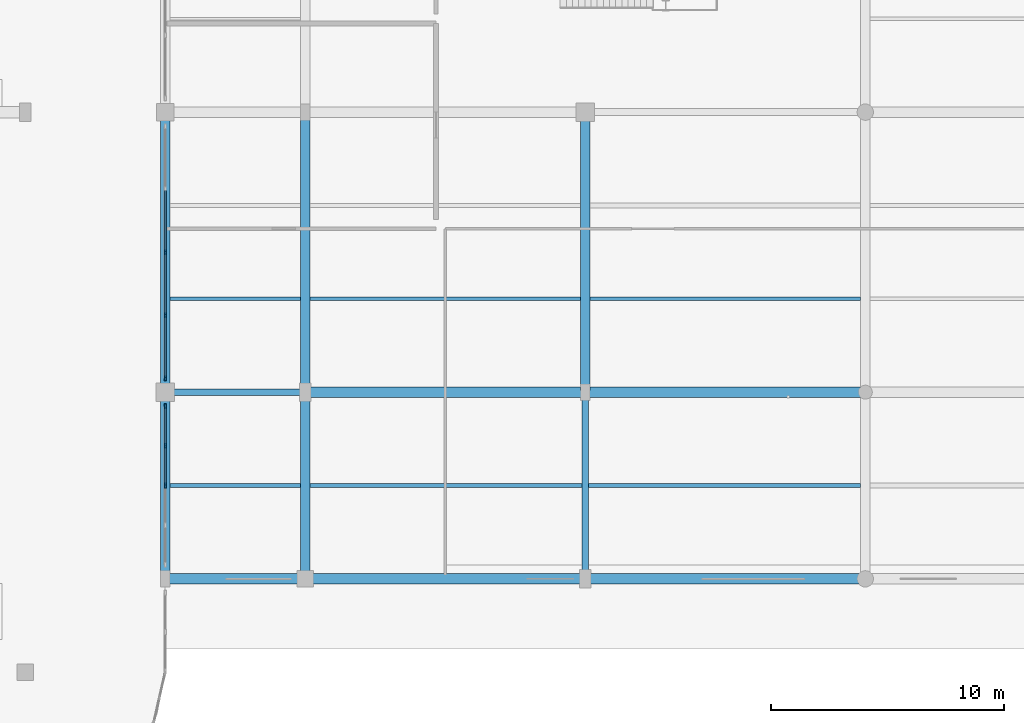
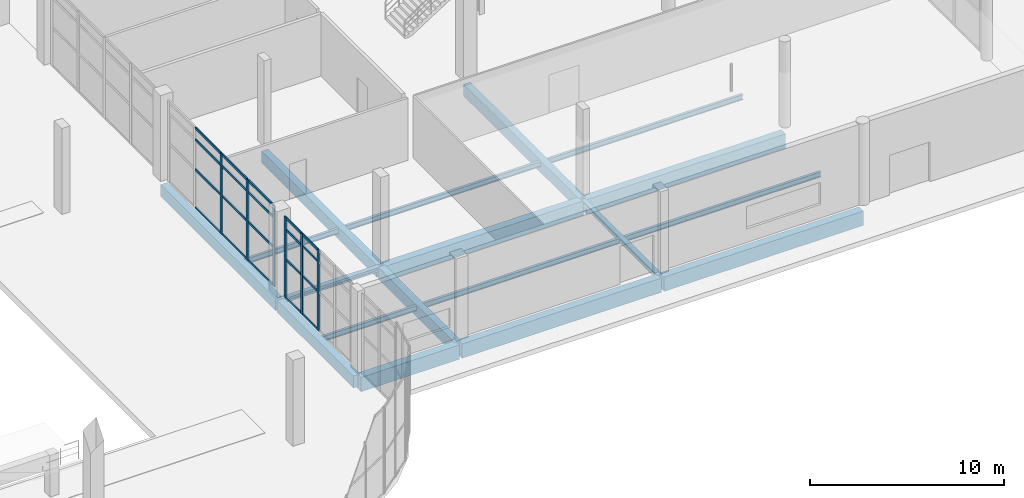
# One storey, part 33 of 85: 26 members, 18 beams, 2 elements without a shape of their own.
"""IFC4 building model written with IfcOpenShell, lengths in metres."""

from ifc_helpers import new_model, si_unit, direction, frame, origin, origin_2d, place, context, subcontext, project, spatial, rectangle, i_section, extrude, material, material_profile, profile_set, type_object, element, aggregate, save


model = new_model("IFC4")

# Units and contexts
model_context = context("Model", 3, precision=1e-05, world=origin(), true_north=direction((0.0, 1.0)))
body_context = subcontext(model_context, "Body", "Model", "MODEL_VIEW")
ifc_project = project(units=[si_unit("LENGTHUNIT", "METRE"), si_unit("AREAUNIT", "SQUARE_METRE"), si_unit("VOLUMEUNIT", "CUBIC_METRE"), si_unit("PLANEANGLEUNIT", "RADIAN"), si_unit("MASSUNIT", "GRAM", prefix="KILO"), si_unit("THERMODYNAMICTEMPERATUREUNIT", "KELVIN"), si_unit("POWERUNIT", "WATT")], contexts=[model_context])

# Site, building, storey
site_placement = place(None, origin())
site = spatial("IfcSite", under=ifc_project, at=site_placement, CompositionType="ELEMENT")
building_placement = place(site_placement, origin())
building = spatial("IfcBuilding", under=site, at=building_placement, Name="Solmara Park Aquatics Centre", CompositionType="ELEMENT")
storey_placement = place(building_placement, origin())
storey = spatial("IfcBuildingStorey", under=building, at=storey_placement, Name="L00", CompositionType="ELEMENT", Elevation=0.0)

# Curtain wall, members
ifc_material_1 = material(Name="Anodised Aluminium Curtain Wall Framing", Category="aluminium")
curtain_wall_type = type_object("IfcCurtainWallType", Name="ARC-CW-SYS02", PredefinedType="USERDEFINED", material=ifc_material_1)
curtain_wall_1_placement = place(storey_placement, origin())
curtain_wall_1 = element("IfcCurtainWall", 1, at=curtain_wall_1_placement, inside=storey, type_object=curtain_wall_type, Name="Curtain Wall CW-074", ObjectType="CURTAIN WALL", PredefinedType="USERDEFINED")
ifc_material_2 = material(Name="Anodised Aluminium Alloy 6063-T6", Category="aluminium")
ifc_material_profile_1 = material_profile(ifc_material_2, rectangle(XDim=0.074951171875, YDim=0.219970703125, at=origin_2d()), Name="ALU MULLION 75x220")
ifc_profile_set_1 = profile_set([ifc_material_profile_1], Name="Anodised Aluminium Alloy 6063-T6")
member_type_1 = type_object("IfcMemberType", Name="ARC-CWM-75x220", PredefinedType="MULLION", material=ifc_profile_set_1)
member_1_placement = place(storey_placement, frame((162.0, 20.60009765625, 0.0), z_axis=(0.0, 0.0, 1.0), x_axis=(1.0, 0.0, 0.0)))
member_1 = element("IfcMember", 2, at=member_1_placement, type_object=member_type_1, Name="CW-074 mullion 3", PredefinedType="MULLION", context=body_context, shape_type="SweptSolid", body=[
    extrude(rectangle(XDim=0.074951171875, YDim=0.219970703125, at=origin_2d()), origin(), (0.0, 0.0, 1.0), 5.080078125),
])
member_2_placement = place(storey_placement, frame((162.0, 22.300048828125, 0.0), z_axis=(0.0, 0.0, 1.0), x_axis=(1.0, 0.0, 0.0)))
member_2 = element("IfcMember", 3, at=member_2_placement, type_object=member_type_1, Name="CW-074 mullion 4", PredefinedType="MULLION", context=body_context, shape_type="SweptSolid", body=[
    extrude(rectangle(XDim=0.074951171875, YDim=0.219970703125, at=origin_2d()), origin(), (0.0, 0.0, 1.0), 5.080078125),
])
member_3_placement = place(storey_placement, frame((162.0, 24.0, 0.0), z_axis=(0.0, 0.0, 1.0), x_axis=(1.0, 0.0, 0.0)))
member_3 = element("IfcMember", 4, at=member_3_placement, type_object=member_type_1, Name="CW-074 mullion 5", PredefinedType="MULLION", context=body_context, shape_type="SweptSolid", body=[
    extrude(rectangle(XDim=0.074951171875, YDim=0.219970703125, at=origin_2d()), origin(), (0.0, 0.0, 1.0), 5.080078125),
])

curtain_wall_2_placement = place(storey_placement, origin())
curtain_wall_2 = element("IfcCurtainWall", 5, at=curtain_wall_2_placement, inside=storey, type_object=curtain_wall_type, Name="Curtain Wall CW-077", ObjectType="CURTAIN WALL", PredefinedType="USERDEFINED")
member_4_placement = place(storey_placement, frame((162.0, 25.199951171875, 0.0), z_axis=(0.0, 0.0, 1.0), x_axis=(1.0, 0.0, 0.0)))
member_4 = element("IfcMember", 6, at=member_4_placement, type_object=member_type_1, Name="CW-077 mullion 1", PredefinedType="MULLION", context=body_context, shape_type="SweptSolid", body=[
    extrude(rectangle(XDim=0.074951171875, YDim=0.219970703125, at=origin_2d()), origin(), (0.0, 0.0, 1.0), 5.080078125),
])
member_5_placement = place(storey_placement, frame((162.0, 27.89990234375, 0.0), z_axis=(0.0, 0.0, 1.0), x_axis=(1.0, 0.0, 0.0)))
member_5 = element("IfcMember", 7, at=member_5_placement, type_object=member_type_1, Name="CW-077 mullion 2", PredefinedType="MULLION", context=body_context, shape_type="SweptSolid", body=[
    extrude(rectangle(XDim=0.074951171875, YDim=0.219970703125, at=origin_2d()), origin(), (0.0, 0.0, 1.0), 5.080078125),
])
member_6_placement = place(storey_placement, frame((162.0, 30.60009765625, 0.0), z_axis=(0.0, 0.0, 1.0), x_axis=(1.0, 0.0, 0.0)))
member_6 = element("IfcMember", 8, at=member_6_placement, type_object=member_type_1, Name="CW-077 mullion 3", PredefinedType="MULLION", context=body_context, shape_type="SweptSolid", body=[
    extrude(rectangle(XDim=0.074951171875, YDim=0.219970703125, at=origin_2d()), origin(), (0.0, 0.0, 1.0), 5.080078125),
])

# Member
ifc_material_profile_2 = material_profile(ifc_material_2, rectangle(XDim=0.074951171875, YDim=0.14990234375, at=origin_2d()), Name="ALU TRANSOM 75x150")
ifc_profile_set_2 = profile_set([ifc_material_profile_2], Name="Anodised Aluminium Alloy 6063-T6")
member_type_2 = type_object("IfcMemberType", Name="ARC-CWT-75x150", PredefinedType="USERDEFINED", material=ifc_profile_set_2)
member_7_placement = place(storey_placement, frame((162.0, 20.6201171875, 0.0400390625), z_axis=(0.0, 1.0, 0.0), x_axis=(-1.0, 0.0, 0.0)))
member_7 = element("IfcMember", 9, at=member_7_placement, type_object=member_type_2, Name="CW-074 transom 9", ObjectType="TRANSOM", PredefinedType="USERDEFINED", context=body_context, shape_type="SweptSolid", body=[
    extrude(rectangle(XDim=0.074951171875, YDim=0.14990234375, at=origin_2d()), origin(), (0.0, 0.0, 1.0), 1.619873046875),
])

member_8_placement = place(storey_placement, frame((162.0, 20.6201171875, 2.449951171875), z_axis=(0.0, 1.0, 0.0), x_axis=(-1.0, 0.0, 0.0)))
member_8 = element("IfcMember", 10, at=member_8_placement, type_object=member_type_2, Name="CW-074 transom 10", ObjectType="TRANSOM", PredefinedType="USERDEFINED", context=body_context, shape_type="SweptSolid", body=[
    extrude(rectangle(XDim=0.074951171875, YDim=0.14990234375, at=origin_2d()), origin(), (0.0, 0.0, 1.0), 1.619873046875),
])

member_9_placement = place(storey_placement, frame((162.0, 20.6201171875, 4.330078125), z_axis=(0.0, 1.0, 0.0), x_axis=(-1.0, 0.0, 0.0)))
member_9 = element("IfcMember", 11, at=member_9_placement, type_object=member_type_2, Name="CW-074 transom 11", ObjectType="TRANSOM", PredefinedType="USERDEFINED", context=body_context, shape_type="SweptSolid", body=[
    extrude(rectangle(XDim=0.074951171875, YDim=0.14990234375, at=origin_2d()), origin(), (0.0, 0.0, 1.0), 1.619873046875),
])

member_10_placement = place(storey_placement, frame((162.0, 20.6201171875, 5.0400390625), z_axis=(0.0, 1.0, 0.0), x_axis=(-1.0, 0.0, 0.0)))
member_10 = element("IfcMember", 12, at=member_10_placement, type_object=member_type_2, Name="CW-074 transom 12", ObjectType="TRANSOM", PredefinedType="USERDEFINED", context=body_context, shape_type="SweptSolid", body=[
    extrude(rectangle(XDim=0.074951171875, YDim=0.14990234375, at=origin_2d()), origin(), (0.0, 0.0, 1.0), 1.619873046875),
])

member_11_placement = place(storey_placement, frame((162.0, 22.320068359375, 0.0400390625), z_axis=(0.0, 1.0, 0.0), x_axis=(-1.0, 0.0, 0.0)))
member_11 = element("IfcMember", 13, at=member_11_placement, type_object=member_type_2, Name="CW-074 transom 13", ObjectType="TRANSOM", PredefinedType="USERDEFINED", context=body_context, shape_type="SweptSolid", body=[
    extrude(rectangle(XDim=0.074951171875, YDim=0.14990234375, at=origin_2d()), origin(), (0.0, 0.0, 1.0), 1.619873046875),
])

member_12_placement = place(storey_placement, frame((162.0, 22.320068359375, 2.449951171875), z_axis=(0.0, 1.0, 0.0), x_axis=(-1.0, 0.0, 0.0)))
member_12 = element("IfcMember", 14, at=member_12_placement, type_object=member_type_2, Name="CW-074 transom 14", ObjectType="TRANSOM", PredefinedType="USERDEFINED", context=body_context, shape_type="SweptSolid", body=[
    extrude(rectangle(XDim=0.074951171875, YDim=0.14990234375, at=origin_2d()), origin(), (0.0, 0.0, 1.0), 1.619873046875),
])

member_13_placement = place(storey_placement, frame((162.0, 22.320068359375, 4.330078125), z_axis=(0.0, 1.0, 0.0), x_axis=(-1.0, 0.0, 0.0)))
member_13 = element("IfcMember", 15, at=member_13_placement, type_object=member_type_2, Name="CW-074 transom 15", ObjectType="TRANSOM", PredefinedType="USERDEFINED", context=body_context, shape_type="SweptSolid", body=[
    extrude(rectangle(XDim=0.074951171875, YDim=0.14990234375, at=origin_2d()), origin(), (0.0, 0.0, 1.0), 1.619873046875),
])

member_14_placement = place(storey_placement, frame((162.0, 22.320068359375, 5.0400390625), z_axis=(0.0, 1.0, 0.0), x_axis=(-1.0, 0.0, 0.0)))
member_14 = element("IfcMember", 16, at=member_14_placement, type_object=member_type_2, Name="CW-074 transom 16", ObjectType="TRANSOM", PredefinedType="USERDEFINED", context=body_context, shape_type="SweptSolid", body=[
    extrude(rectangle(XDim=0.074951171875, YDim=0.14990234375, at=origin_2d()), origin(), (0.0, 0.0, 1.0), 1.619873046875),
])

aggregate(curtain_wall_1, [member_1, member_2, member_3, member_7, member_8, member_9, member_10, member_11, member_12, member_13, member_14])

member_15_placement = place(storey_placement, frame((162.0, 25.219970703125, 0.0400390625), z_axis=(0.0, 1.0, 0.0), x_axis=(-1.0, 0.0, 0.0)))
member_15 = element("IfcMember", 17, at=member_15_placement, type_object=member_type_2, Name="CW-077 transom 1", ObjectType="TRANSOM", PredefinedType="USERDEFINED", context=body_context, shape_type="SweptSolid", body=[
    extrude(rectangle(XDim=0.074951171875, YDim=0.14990234375, at=origin_2d()), origin(), (0.0, 0.0, 1.0), 2.6201171875),
])

member_16_placement = place(storey_placement, frame((162.0, 25.219970703125, 2.449951171875), z_axis=(0.0, 1.0, 0.0), x_axis=(-1.0, 0.0, 0.0)))
member_16 = element("IfcMember", 18, at=member_16_placement, type_object=member_type_2, Name="CW-077 transom 2", ObjectType="TRANSOM", PredefinedType="USERDEFINED", context=body_context, shape_type="SweptSolid", body=[
    extrude(rectangle(XDim=0.074951171875, YDim=0.14990234375, at=origin_2d()), origin(), (0.0, 0.0, 1.0), 2.6201171875),
])

member_17_placement = place(storey_placement, frame((162.0, 25.219970703125, 4.330078125), z_axis=(0.0, 1.0, 0.0), x_axis=(-1.0, 0.0, 0.0)))
member_17 = element("IfcMember", 19, at=member_17_placement, type_object=member_type_2, Name="CW-077 transom 3", ObjectType="TRANSOM", PredefinedType="USERDEFINED", context=body_context, shape_type="SweptSolid", body=[
    extrude(rectangle(XDim=0.074951171875, YDim=0.14990234375, at=origin_2d()), origin(), (0.0, 0.0, 1.0), 2.6201171875),
])

member_18_placement = place(storey_placement, frame((162.0, 25.219970703125, 5.0400390625), z_axis=(0.0, 1.0, 0.0), x_axis=(-1.0, 0.0, 0.0)))
member_18 = element("IfcMember", 20, at=member_18_placement, type_object=member_type_2, Name="CW-077 transom 4", ObjectType="TRANSOM", PredefinedType="USERDEFINED", context=body_context, shape_type="SweptSolid", body=[
    extrude(rectangle(XDim=0.074951171875, YDim=0.14990234375, at=origin_2d()), origin(), (0.0, 0.0, 1.0), 2.6201171875),
])

member_19_placement = place(storey_placement, frame((162.0, 27.919921875, 0.0400390625), z_axis=(0.0, 1.0, 0.0), x_axis=(-1.0, 0.0, 0.0)))
member_19 = element("IfcMember", 21, at=member_19_placement, type_object=member_type_2, Name="CW-077 transom 5", ObjectType="TRANSOM", PredefinedType="USERDEFINED", context=body_context, shape_type="SweptSolid", body=[
    extrude(rectangle(XDim=0.074951171875, YDim=0.14990234375, at=origin_2d()), origin(), (0.0, 0.0, 1.0), 2.6201171875),
])

member_20_placement = place(storey_placement, frame((162.0, 27.919921875, 2.449951171875), z_axis=(0.0, 1.0, 0.0), x_axis=(-1.0, 0.0, 0.0)))
member_20 = element("IfcMember", 22, at=member_20_placement, type_object=member_type_2, Name="CW-077 transom 6", ObjectType="TRANSOM", PredefinedType="USERDEFINED", context=body_context, shape_type="SweptSolid", body=[
    extrude(rectangle(XDim=0.074951171875, YDim=0.14990234375, at=origin_2d()), origin(), (0.0, 0.0, 1.0), 2.6201171875),
])

member_21_placement = place(storey_placement, frame((162.0, 27.919921875, 4.330078125), z_axis=(0.0, 1.0, 0.0), x_axis=(-1.0, 0.0, 0.0)))
member_21 = element("IfcMember", 23, at=member_21_placement, type_object=member_type_2, Name="CW-077 transom 7", ObjectType="TRANSOM", PredefinedType="USERDEFINED", context=body_context, shape_type="SweptSolid", body=[
    extrude(rectangle(XDim=0.074951171875, YDim=0.14990234375, at=origin_2d()), origin(), (0.0, 0.0, 1.0), 2.6201171875),
])

member_22_placement = place(storey_placement, frame((162.0, 27.919921875, 5.0400390625), z_axis=(0.0, 1.0, 0.0), x_axis=(-1.0, 0.0, 0.0)))
member_22 = element("IfcMember", 24, at=member_22_placement, type_object=member_type_2, Name="CW-077 transom 8", ObjectType="TRANSOM", PredefinedType="USERDEFINED", context=body_context, shape_type="SweptSolid", body=[
    extrude(rectangle(XDim=0.074951171875, YDim=0.14990234375, at=origin_2d()), origin(), (0.0, 0.0, 1.0), 2.6201171875),
])

member_23_placement = place(storey_placement, frame((162.0, 30.6201171875, 0.0400390625), z_axis=(0.0, 1.0, 0.0), x_axis=(-1.0, 0.0, 0.0)))
member_23 = element("IfcMember", 25, at=member_23_placement, type_object=member_type_2, Name="CW-077 transom 9", ObjectType="TRANSOM", PredefinedType="USERDEFINED", context=body_context, shape_type="SweptSolid", body=[
    extrude(rectangle(XDim=0.074951171875, YDim=0.14990234375, at=origin_2d()), origin(), (0.0, 0.0, 1.0), 2.619873046875),
])

member_24_placement = place(storey_placement, frame((162.0, 30.6201171875, 2.449951171875), z_axis=(0.0, 1.0, 0.0), x_axis=(-1.0, 0.0, 0.0)))
member_24 = element("IfcMember", 26, at=member_24_placement, type_object=member_type_2, Name="CW-077 transom 10", ObjectType="TRANSOM", PredefinedType="USERDEFINED", context=body_context, shape_type="SweptSolid", body=[
    extrude(rectangle(XDim=0.074951171875, YDim=0.14990234375, at=origin_2d()), origin(), (0.0, 0.0, 1.0), 2.619873046875),
])

member_25_placement = place(storey_placement, frame((162.0, 30.6201171875, 4.330078125), z_axis=(0.0, 1.0, 0.0), x_axis=(-1.0, 0.0, 0.0)))
member_25 = element("IfcMember", 27, at=member_25_placement, type_object=member_type_2, Name="CW-077 transom 11", ObjectType="TRANSOM", PredefinedType="USERDEFINED", context=body_context, shape_type="SweptSolid", body=[
    extrude(rectangle(XDim=0.074951171875, YDim=0.14990234375, at=origin_2d()), origin(), (0.0, 0.0, 1.0), 2.619873046875),
])

member_26_placement = place(storey_placement, frame((162.0, 30.6201171875, 5.0400390625), z_axis=(0.0, 1.0, 0.0), x_axis=(-1.0, 0.0, 0.0)))
member_26 = element("IfcMember", 28, at=member_26_placement, type_object=member_type_2, Name="CW-077 transom 12", ObjectType="TRANSOM", PredefinedType="USERDEFINED", context=body_context, shape_type="SweptSolid", body=[
    extrude(rectangle(XDim=0.074951171875, YDim=0.14990234375, at=origin_2d()), origin(), (0.0, 0.0, 1.0), 2.619873046875),
])

aggregate(curtain_wall_2, [member_4, member_5, member_6, member_15, member_16, member_17, member_18, member_19, member_20, member_21, member_22, member_23, member_24, member_25, member_26])

# Beams
ifc_material_3 = material(Name="Structural Steel S355", Category="steel")
ifc_material_profile_3 = material_profile(ifc_material_3, i_section(OverallWidth=0.280029296875, OverallDepth=0.27001953125, WebThickness=0.008056640625, FlangeThickness=0.012939453125, FilletRadius=0.02392578125, at=origin_2d()), Name="HEA 280")
ifc_profile_set_3 = profile_set([ifc_material_profile_3], Name="Structural Steel S355")
beam_type_1 = type_object("IfcBeamType", Name="STR-BM-HEA280", PredefinedType="BEAM", material=ifc_profile_set_3)
beam_1_placement = place(storey_placement, frame((162.080078125, 24.60009765625, -0.554931640625), z_axis=(1.0, 0.0, 0.0), x_axis=(0.0, 1.0, 0.0)))
element("IfcBeam", 29, at=beam_1_placement, inside=storey, type_object=beam_type_1, Name="Girder BM-L00-0054", PredefinedType="BEAM", context=body_context, shape_type="SweptSolid", body=[
    extrude(i_section(OverallWidth=0.280029296875, OverallDepth=0.27001953125, WebThickness=0.008056640625, FlangeThickness=0.012939453125, FilletRadius=0.02392578125, at=origin_2d()), origin(), (0.0, 0.0, 1.0), 5.83984375),
])
ifc_material_profile_4 = material_profile(ifc_material_3, i_section(OverallWidth=0.280029296875, OverallDepth=0.280029296875, WebThickness=0.010498046875, FlangeThickness=0.01806640625, FilletRadius=0.02392578125, at=origin_2d()), Name="HEB 280")
ifc_profile_set_4 = profile_set([ifc_material_profile_4], Name="Structural Steel S355")
beam_type_2 = type_object("IfcBeamType", Name="STR-BM-HEB280", PredefinedType="BEAM", material=ifc_profile_set_4)
beam_2_placement = place(storey_placement, frame((180.0, 16.679931640625, -0.56005859375), z_axis=(0.0, 1.0, 0.0), x_axis=(-1.0, 0.0, 0.0)))
element("IfcBeam", 30, at=beam_2_placement, inside=storey, type_object=beam_type_2, Name="Girder BM-L00-0084", PredefinedType="BEAM", context=body_context, shape_type="SweptSolid", body=[
    extrude(i_section(OverallWidth=0.280029296875, OverallDepth=0.280029296875, WebThickness=0.010498046875, FlangeThickness=0.01806640625, FilletRadius=0.02392578125, at=origin_2d()), origin(), (0.0, 0.0, 1.0), 7.840087890625),
])
ifc_material_4 = material(Name="Concrete C40/50", Category="concrete")
ifc_material_profile_5 = material_profile(ifc_material_4, rectangle(XDim=0.39990234375, YDim=0.75, at=origin_2d()), Name="RC 400x750")
ifc_profile_set_5 = profile_set([ifc_material_profile_5], Name="Concrete C40/50")
beam_type_3 = type_object("IfcBeamType", Name="STR-BM-RC400x750", PredefinedType="BEAM", material=ifc_profile_set_5)
beam_3_placement = place(storey_placement, frame((162.0, 16.679931640625, -0.794921875), z_axis=(0.0, 1.0, 0.0), x_axis=(-1.0, 0.0, 0.0)))
element("IfcBeam", 31, at=beam_3_placement, inside=storey, type_object=beam_type_3, Name="Girder BM-L00-0074", PredefinedType="BEAM", context=body_context, shape_type="SweptSolid", body=[
    extrude(rectangle(XDim=0.39990234375, YDim=0.75, at=origin_2d()), origin(), (0.0, 0.0, 1.0), 7.840087890625),
])
beam_4_placement = place(storey_placement, frame((162.0, 24.679931640625, -0.794921875), z_axis=(0.0, 1.0, 0.0), x_axis=(-1.0, 0.0, 0.0)))
element("IfcBeam", 32, at=beam_4_placement, inside=storey, type_object=beam_type_3, Name="Girder BM-L00-0075", PredefinedType="BEAM", context=body_context, shape_type="SweptSolid", body=[
    extrude(rectangle(XDim=0.39990234375, YDim=0.75, at=origin_2d()), origin(), (0.0, 0.0, 1.0), 11.840087890625),
])
beam_5_placement = place(storey_placement, frame((168.0, 16.679931640625, -0.794921875), z_axis=(0.0, 1.0, 0.0), x_axis=(-1.0, 0.0, 0.0)))
element("IfcBeam", 33, at=beam_5_placement, inside=storey, type_object=beam_type_3, Name="Girder BM-L00-0079", PredefinedType="BEAM", context=body_context, shape_type="SweptSolid", body=[
    extrude(rectangle(XDim=0.39990234375, YDim=0.75, at=origin_2d()), origin(), (0.0, 0.0, 1.0), 7.840087890625),
])
for number, where, z_axis, x_axis, name in (
    (34, (168.0, 24.679931640625, -0.794921875), (0.0, 1.0, 0.0), (-1.0, 0.0, 0.0), "Girder BM-L00-0080"),
    (35, (180.0, 24.679931640625, -0.794921875), (0.0, 1.0, 0.0), (-1.0, 0.0, 0.0), "Girder BM-L00-0085"),
):
    element("IfcBeam", number, at=place(storey_placement, frame(where, z_axis=z_axis, x_axis=x_axis)), inside=storey, type_object=beam_type_3, Name=name, PredefinedType="BEAM", context=body_context, shape_type="SweptSolid", body=[
        extrude(rectangle(XDim=0.39990234375, YDim=0.75, at=origin_2d()), origin(), (0.0, 0.0, 1.0), 11.840087890625),
    ])
ifc_material_profile_6 = material_profile(ifc_material_4, rectangle(XDim=0.449951171875, YDim=0.89990234375, at=origin_2d()), Name="RC 450x900")
ifc_profile_set_6 = profile_set([ifc_material_profile_6], Name="Concrete C40/50")
beam_type_4 = type_object("IfcBeamType", Name="STR-BM-RC450x900", PredefinedType="BEAM", material=ifc_profile_set_6)
beam_6_placement = place(storey_placement, frame((162.080078125, 16.60009765625, -0.8701171875), z_axis=(1.0, 0.0, 0.0), x_axis=(0.0, 1.0, 0.0)))
element("IfcBeam", 36, at=beam_6_placement, inside=storey, type_object=beam_type_4, Name="Girder BM-L00-0050", PredefinedType="BEAM", context=body_context, shape_type="SweptSolid", body=[
    extrude(rectangle(XDim=0.449951171875, YDim=0.89990234375, at=origin_2d()), origin(), (0.0, 0.0, 1.0), 5.83984375),
])
for number, where, z_axis, x_axis, name in (
    (37, (168.080078125, 16.60009765625, -0.8701171875), (1.0, 0.0, 0.0), (0.0, 1.0, 0.0), "Girder BM-L00-0051"),
    (38, (180.080078125, 16.60009765625, -0.8701171875), (1.0, 0.0, 0.0), (0.0, 1.0, 0.0), "Girder BM-L00-0052"),
    (39, (168.080078125, 24.60009765625, -0.8701171875), (1.0, 0.0, 0.0), (0.0, 1.0, 0.0), "Girder BM-L00-0055"),
    (40, (180.080078125, 24.60009765625, -0.8701171875), (1.0, 0.0, 0.0), (0.0, 1.0, 0.0), "Girder BM-L00-0056"),
):
    element("IfcBeam", number, at=place(storey_placement, frame(where, z_axis=z_axis, x_axis=x_axis)), inside=storey, type_object=beam_type_4, Name=name, PredefinedType="BEAM", context=body_context, shape_type="SweptSolid", body=[
        extrude(rectangle(XDim=0.449951171875, YDim=0.89990234375, at=origin_2d()), origin(), (0.0, 0.0, 1.0), 11.83984375),
    ])
ifc_material_profile_7 = material_profile(ifc_material_3, i_section(OverallWidth=0.159912109375, OverallDepth=0.330078125, WebThickness=0.007568359375, FlangeThickness=0.011474609375, FilletRadius=0.01806640625, at=origin_2d()), Name="IPE 330")
ifc_profile_set_7 = profile_set([ifc_material_profile_7], Name="Structural Steel S355")
beam_type_5 = type_object("IfcBeamType", Name="STR-JST-IPE330", PredefinedType="JOIST", material=ifc_profile_set_7)
for number, where, z_axis, x_axis, name in (
    (41, (162.199951171875, 20.60009765625, -0.5849609375), (1.0, 0.0, 0.0), (0.0, 1.0, 0.0), "Floor Joist JST-L00-0026"),
    (42, (162.199951171875, 28.60009765625, -0.5849609375), (1.0, 0.0, 0.0), (0.0, 1.0, 0.0), "Floor Joist JST-L00-0027"),
):
    element("IfcBeam", number, at=place(storey_placement, frame(where, z_axis=z_axis, x_axis=x_axis)), inside=storey, type_object=beam_type_5, Name=name, PredefinedType="JOIST", context=body_context, shape_type="SweptSolid", body=[
        extrude(i_section(OverallWidth=0.159912109375, OverallDepth=0.330078125, WebThickness=0.007568359375, FlangeThickness=0.011474609375, FilletRadius=0.01806640625, at=origin_2d()), origin(), (0.0, 0.0, 1.0), 5.60009765625),
    ])
beam_7_placement = place(storey_placement, frame((168.199951171875, 20.60009765625, -0.5849609375), z_axis=(1.0, 0.0, 0.0), x_axis=(0.0, 1.0, 0.0)))
element("IfcBeam", 43, at=beam_7_placement, inside=storey, type_object=beam_type_5, Name="Floor Joist JST-L00-0035", PredefinedType="JOIST", context=body_context, shape_type="SweptSolid", body=[
    extrude(i_section(OverallWidth=0.159912109375, OverallDepth=0.330078125, WebThickness=0.007568359375, FlangeThickness=0.011474609375, FilletRadius=0.01806640625, at=origin_2d()), origin(), (0.0, 0.0, 1.0), 11.66015625),
])
beam_8_placement = place(storey_placement, frame((168.199951171875, 28.60009765625, -0.5849609375), z_axis=(1.0, 0.0, 0.0), x_axis=(0.0, 1.0, 0.0)))
element("IfcBeam", 44, at=beam_8_placement, inside=storey, type_object=beam_type_5, Name="Floor Joist JST-L00-0036", PredefinedType="JOIST", context=body_context, shape_type="SweptSolid", body=[
    extrude(i_section(OverallWidth=0.159912109375, OverallDepth=0.330078125, WebThickness=0.007568359375, FlangeThickness=0.011474609375, FilletRadius=0.01806640625, at=origin_2d()), origin(), (0.0, 0.0, 1.0), 11.60009765625),
])
beam_9_placement = place(storey_placement, frame((180.139892578125, 20.60009765625, -0.5849609375), z_axis=(1.0, 0.0, 0.0), x_axis=(0.0, 1.0, 0.0)))
element("IfcBeam", 45, at=beam_9_placement, inside=storey, type_object=beam_type_5, Name="Floor Joist JST-L00-0042", PredefinedType="JOIST", context=body_context, shape_type="SweptSolid", body=[
    extrude(i_section(OverallWidth=0.159912109375, OverallDepth=0.330078125, WebThickness=0.007568359375, FlangeThickness=0.011474609375, FilletRadius=0.01806640625, at=origin_2d()), origin(), (0.0, 0.0, 1.0), 11.66015625),
])
beam_10_placement = place(storey_placement, frame((180.199951171875, 28.60009765625, -0.5849609375), z_axis=(1.0, 0.0, 0.0), x_axis=(0.0, 1.0, 0.0)))
element("IfcBeam", 46, at=beam_10_placement, inside=storey, type_object=beam_type_5, Name="Floor Joist JST-L00-0043", PredefinedType="JOIST", context=body_context, shape_type="SweptSolid", body=[
    extrude(i_section(OverallWidth=0.159912109375, OverallDepth=0.330078125, WebThickness=0.007568359375, FlangeThickness=0.011474609375, FilletRadius=0.01806640625, at=origin_2d()), origin(), (0.0, 0.0, 1.0), 11.60009765625),
])

save(model, "model.ifc")
